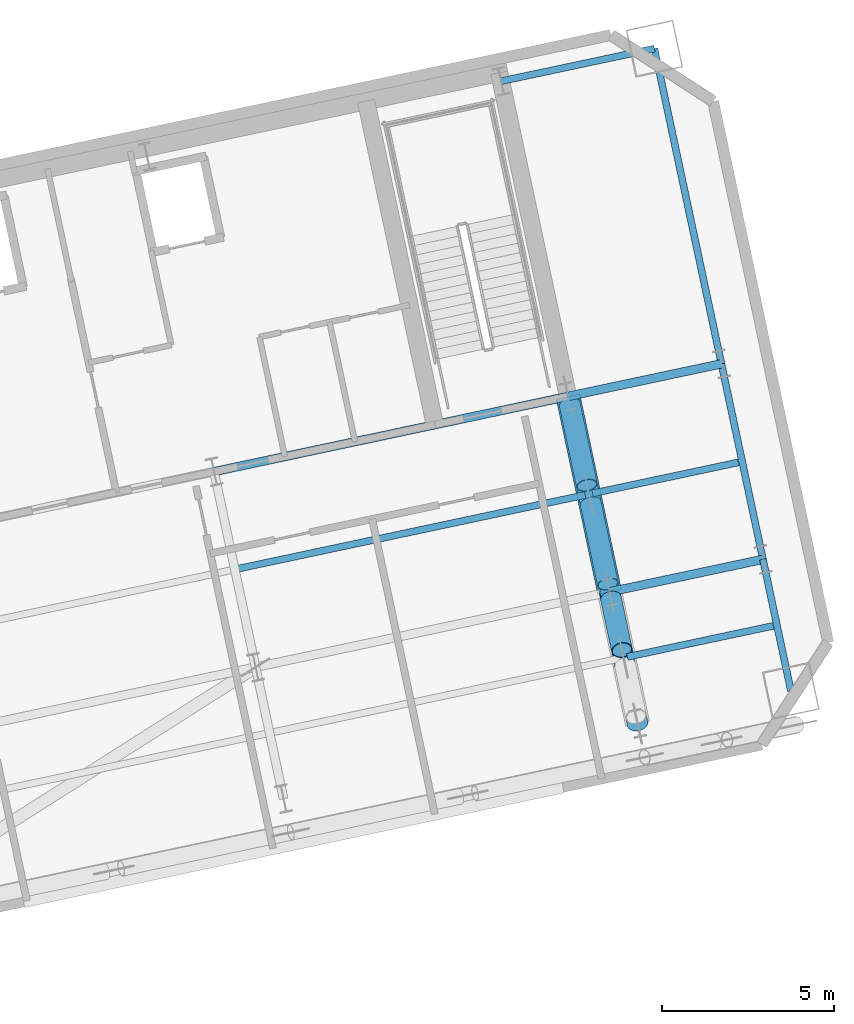
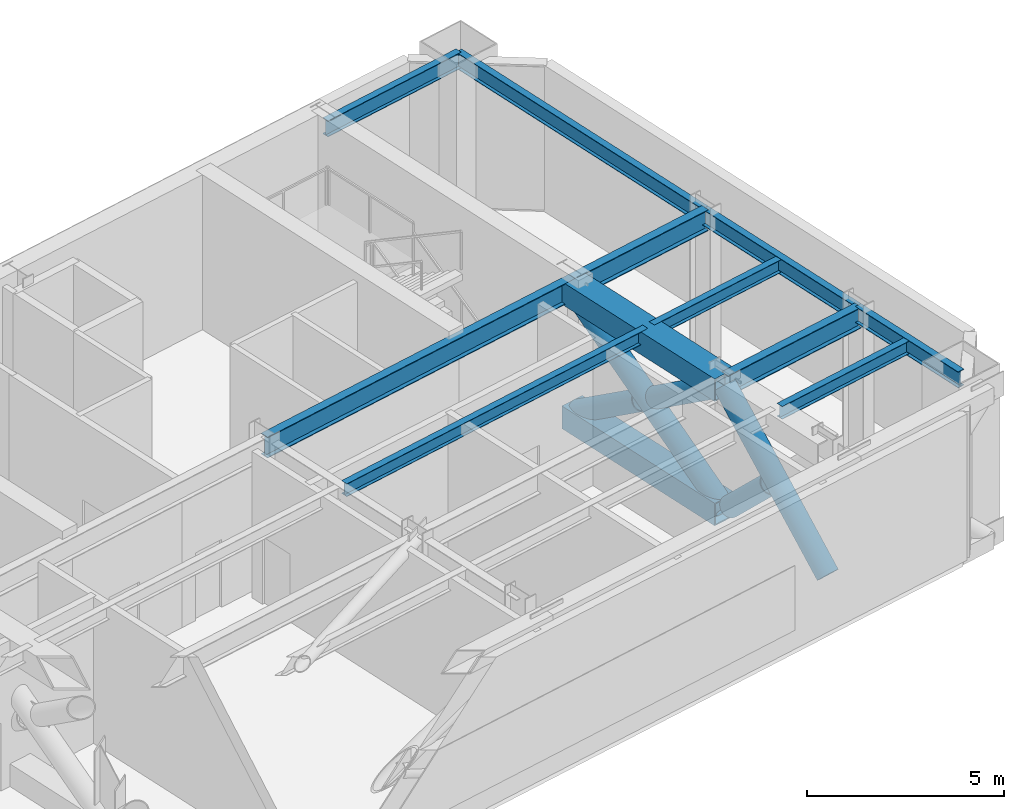
# One storey, part 5 of 15: 10 beams, 7 members.
"""IFC4 building model written with IfcOpenShell, lengths in metres."""

from ifc_helpers import new_model, si_unit, direction, frame, origin, origin_2d, place, context, subcontext, project, spatial, hollow_rectangle, hollow_circle, i_section, extrude, material, material_profile, profile_set, type_object, element, save


model = new_model("IFC4")

# Units and contexts
model_context = context("Model", 3, precision=1e-05, world=origin(), true_north=direction((0.0, 1.0)))
body_context = subcontext(model_context, "Body", "Model", "MODEL_VIEW")
ifc_project = project(units=[si_unit("LENGTHUNIT", "METRE"), si_unit("AREAUNIT", "SQUARE_METRE"), si_unit("VOLUMEUNIT", "CUBIC_METRE"), si_unit("PLANEANGLEUNIT", "RADIAN"), si_unit("MASSUNIT", "GRAM", prefix="KILO")], contexts=[model_context])

# Site, building, storey
site_placement = place(None, origin())
site = spatial("IfcSite", under=ifc_project, at=site_placement, CompositionType="ELEMENT")
building_placement = place(site_placement, origin())
building = spatial("IfcBuilding", under=site, at=building_placement, Name="Haevon Station Towers", CompositionType="ELEMENT")
storey_placement = place(building_placement, frame((0.0, 0.0, 138.0)))
storey = spatial("IfcBuildingStorey", under=building, at=storey_placement, Name="L37", CompositionType="ELEMENT", Elevation=138.0)

# Beams
ifc_material_1 = material(Name="Steel S355", Category="steel")
ifc_material_profile_1 = material_profile(ifc_material_1, i_section(OverallWidth=0.25, OverallDepth=0.64990234375, WebThickness=0.012939453125, FlangeThickness=0.02197265625, at=origin_2d()), Name="H-650x250x13x22")
ifc_profile_set_1 = profile_set([ifc_material_profile_1], Name="Steel S355")
beam_type_1 = type_object("IfcBeamType", Name="BM-G650", PredefinedType="BEAM", material=ifc_profile_set_1)
beam_1_placement = place(storey_placement, frame((120.499267578125, 36.13525390625, 4.22509765625), z_axis=(0.978146576304, 0.207916510322, 0.0), x_axis=(-0.207916510322, 0.978146576304, 0.0)))
element("IfcBeam", 1, at=beam_1_placement, inside=storey, type_object=beam_type_1, Name="BM-T2U-L37-02-04", PredefinedType="BEAM", context=body_context, shape_type="SweptSolid", body=[
    extrude(i_section(OverallWidth=0.25, OverallDepth=0.64990234375, WebThickness=0.012939453125, FlangeThickness=0.02197265625, at=origin_2d()), origin(), (0.0, 0.0, 1.0), 4.550048828125),
])
beam_2_placement = place(storey_placement, frame((109.02294921875, 39.62548828125, 4.22509765625), z_axis=(0.978146794194, 0.207915485254, 0.0), x_axis=(-0.207915485254, 0.978146794194, 0.0)))
element("IfcBeam", 2, at=beam_2_placement, inside=storey, type_object=beam_type_1, Name="BM-T2U-L37-03-03", PredefinedType="BEAM", context=body_context, shape_type="SweptSolid", body=[
    extrude(i_section(OverallWidth=0.25, OverallDepth=0.64990234375, WebThickness=0.012939453125, FlangeThickness=0.02197265625, at=origin_2d()), origin(), (0.0, 0.0, 1.0), 10.5),
])
beam_3_placement = place(storey_placement, frame((119.29345703125, 41.80859375, 4.22509765625), z_axis=(0.978146576304, 0.207916510322, 0.0), x_axis=(-0.207916510322, 0.978146576304, 0.0)))
element("IfcBeam", 3, at=beam_3_placement, inside=storey, type_object=beam_type_1, Name="BM-T2U-L37-03-04", PredefinedType="BEAM", context=body_context, shape_type="SweptSolid", body=[
    extrude(i_section(OverallWidth=0.25, OverallDepth=0.64990234375, WebThickness=0.012939453125, FlangeThickness=0.02197265625, at=origin_2d()), origin(), (0.0, 0.0, 1.0), 4.550048828125),
])
ifc_material_profile_2 = material_profile(ifc_material_1, i_section(OverallWidth=0.199951171875, OverallDepth=0.39990234375, WebThickness=0.008056640625, FlangeThickness=0.012939453125, at=origin_2d()), Name="H-400x200x8x13")
ifc_profile_set_2 = profile_set([ifc_material_profile_2], Name="Steel S355")
beam_type_2 = type_object("IfcBeamType", Name="BM-J400", PredefinedType="JOIST", material=ifc_profile_set_2)
beam_4_placement = place(storey_placement, frame((121.012451171875, 34.250732421875, 4.35009765625), z_axis=(0.978141078405, 0.207942373597, 0.0), x_axis=(-0.207942373597, 0.978141078405, 0.0)))
element("IfcBeam", 4, at=beam_4_placement, inside=storey, type_object=beam_type_2, Name="BM-T2J-L37-01-04", PredefinedType="JOIST", context=body_context, shape_type="SweptSolid", body=[
    extrude(i_section(OverallWidth=0.199951171875, OverallDepth=0.39990234375, WebThickness=0.008056640625, FlangeThickness=0.012939453125, at=origin_2d()), origin(), (0.0, 0.0, 1.0), 4.330078125),
])
beam_5_placement = place(storey_placement, frame((109.7333984375, 36.811767578125, 4.35009765625), z_axis=(0.978150339653, 0.207898804801, 0.0), x_axis=(-0.207898804801, 0.978150339653, 0.0)))
element("IfcBeam", 5, at=beam_5_placement, inside=storey, type_object=beam_type_2, Name="BM-T2J-L37-02-03", PredefinedType="JOIST", context=body_context, shape_type="SweptSolid", body=[
    extrude(i_section(OverallWidth=0.199951171875, OverallDepth=0.39990234375, WebThickness=0.008056640625, FlangeThickness=0.012939453125, at=origin_2d()), origin(), (0.0, 0.0, 1.0), 10.280029296875),
])
beam_6_placement = place(storey_placement, frame((120.00390625, 38.994873046875, 4.35009765625), z_axis=(0.978152545287, 0.207888427166, 0.0), x_axis=(-0.207888427166, 0.978152545287, 0.0)))
element("IfcBeam", 6, at=beam_6_placement, inside=storey, type_object=beam_type_2, Name="BM-T2J-L37-02-04", PredefinedType="JOIST", context=body_context, shape_type="SweptSolid", body=[
    extrude(i_section(OverallWidth=0.199951171875, OverallDepth=0.39990234375, WebThickness=0.008056640625, FlangeThickness=0.012939453125, at=origin_2d()), origin(), (0.0, 0.0, 1.0), 4.329833984375),
])
ifc_material_profile_3 = material_profile(ifc_material_1, i_section(OverallWidth=0.199951171875, OverallDepth=0.5, WebThickness=0.010009765625, FlangeThickness=0.01611328125, at=origin_2d()), Name="H-500x200x10x16")
ifc_profile_set_3 = profile_set([ifc_material_profile_3], Name="Steel S355")
beam_type_3 = type_object("IfcBeamType", Name="BM-SP500", PredefinedType="SPANDREL", material=ifc_profile_set_3)
beam_7_placement = place(storey_placement, frame((117.349365234375, 50.954345703125, 4.300048828125), z_axis=(0.978157487225, 0.207865173094, 0.0), x_axis=(-0.207865173094, 0.978157487225, 0.0)))
element("IfcBeam", 7, at=beam_7_placement, inside=storey, type_object=beam_type_3, Name="BM-T2U-L37-04-04", PredefinedType="SPANDREL", context=body_context, shape_type="SweptSolid", body=[
    extrude(i_section(OverallWidth=0.199951171875, OverallDepth=0.5, WebThickness=0.010009765625, FlangeThickness=0.01611328125, at=origin_2d()), origin(), (0.0, 0.0, 1.0), 4.550048828125),
])
beam_8_placement = place(storey_placement, frame((125.7607421875, 33.2666015625, 4.300048828125), z_axis=(-0.207899934746, 0.97815009949, 0.0), x_axis=(-0.97815009949, -0.207899934746, 0.0)))
element("IfcBeam", 8, at=beam_8_placement, inside=storey, type_object=beam_type_3, Name="BM-T2V-L37-05-01", PredefinedType="SPANDREL", context=body_context, shape_type="SweptSolid", body=[
    extrude(i_section(OverallWidth=0.199951171875, OverallDepth=0.5, WebThickness=0.010009765625, FlangeThickness=0.01611328125, at=origin_2d()), origin(), (0.0, 0.0, 1.0), 3.89990234375),
])
beam_9_placement = place(storey_placement, frame((124.949951171875, 37.081298828125, 4.300048828125), z_axis=(-0.207896009217, 0.97815093383, 0.0), x_axis=(-0.97815093383, -0.207896009217, 0.0)))
element("IfcBeam", 9, at=beam_9_placement, inside=storey, type_object=beam_type_3, Name="BM-T2V-L37-05-02", PredefinedType="SPANDREL", context=body_context, shape_type="SweptSolid", body=[
    extrude(i_section(OverallWidth=0.199951171875, OverallDepth=0.5, WebThickness=0.010009765625, FlangeThickness=0.01611328125, at=origin_2d()), origin(), (0.0, 0.0, 1.0), 5.800048828125),
])
beam_10_placement = place(storey_placement, frame((123.744140625, 42.754638671875, 4.300048828125), z_axis=(-0.207927460032, 0.978144248751, 0.0), x_axis=(-0.978144248751, -0.207927460032, 0.0)))
element("IfcBeam", 10, at=beam_10_placement, inside=storey, type_object=beam_type_3, Name="BM-T2V-L37-05-03", PredefinedType="SPANDREL", context=body_context, shape_type="SweptSolid", body=[
    extrude(i_section(OverallWidth=0.199951171875, OverallDepth=0.5, WebThickness=0.010009765625, FlangeThickness=0.01611328125, at=origin_2d()), origin(), (0.0, 0.0, 1.0), 9.349853515625),
])

# Members
ifc_material_2 = material(Name="Steel S460", Category="steel")
ifc_material_profile_4 = material_profile(ifc_material_2, hollow_circle(Radius=0.3046875, WallThickness=0.02490234375, at=origin_2d()), Name="CHS-609.6x25")
ifc_profile_set_4 = profile_set([ifc_material_profile_4], Name="Steel S460")
member_type_1 = type_object("IfcMemberType", Name="BROUT-610", PredefinedType="BRACE", material=ifc_profile_set_4)
member_1_placement = place(storey_placement, frame((121.310302734375, 32.320556640625, 0.35009765625), z_axis=(-0.147997476619, 0.696104928406, 0.702520231426), x_axis=(-0.978137367326, -0.207959829392, 0.0)))
element("IfcMember", 11, at=member_1_placement, inside=storey, type_object=member_type_1, Name="Tower 2 L37 Outrigger Truss Continuous Web Brace", PredefinedType="BRACE", context=body_context, shape_type="SweptSolid", body=[
    extrude(hollow_circle(Radius=0.3046875, WallThickness=0.02490234375, at=origin_2d()), origin(), (0.0, 0.0, 1.0), 5.47998046875),
])
member_2_placement = place(storey_placement, frame((120.85791015625, 34.448486328125, 2.05224609375), z_axis=(-0.147973679662, 0.69612560155, -0.70250475941), x_axis=(-0.978145424542, -0.207921928732, 0.0)))
element("IfcMember", 12, at=member_2_placement, inside=storey, type_object=member_type_1, Name="Tower 2 L37 Outrigger Truss Split Counter Brace Upper", PredefinedType="BRACE", context=body_context, shape_type="SweptSolid", body=[
    extrude(hollow_circle(Radius=0.3046875, WallThickness=0.02490234375, at=origin_2d()), origin(), (0.0, 0.0, 1.0), 2.143310546875),
])
member_3_placement = place(storey_placement, frame((120.499267578125, 36.13525390625, 0.35009765625), z_axis=(-0.173211930276, 0.814962307301, 0.553022662184), x_axis=(-0.97815093383, -0.207896009217, 0.0)))
element("IfcMember", 13, at=member_3_placement, inside=storey, type_object=member_type_1, Name="Tower 2 L37 Outrigger Truss Continuous Web Brace", PredefinedType="BRACE", context=body_context, shape_type="SweptSolid", body=[
    extrude(hollow_circle(Radius=0.3046875, WallThickness=0.02490234375, at=origin_2d()), origin(), (0.0, 0.0, 1.0), 6.96142578125),
])
for number, where, z_axis, x_axis, name in (
    (14, (120.450927734375, 36.363525390625, 4.045166015625), (-0.173211982079, 0.814925972383, -0.553076187157), (-0.978149036179, -0.207904937463, 0.0), "Tower 2 L37 Outrigger Truss Split Counter Brace Lower"),
    (15, (119.841552734375, 39.230224609375, 2.099609375), (-0.173220092296, 0.814964129247, -0.553017420761), (-0.978149036179, -0.207904937463, 0.0), "Tower 2 L37 Outrigger Truss Split Counter Brace Upper"),
):
    element("IfcMember", number, at=place(storey_placement, frame(where, z_axis=z_axis, x_axis=x_axis)), inside=storey, type_object=member_type_1, Name=name, PredefinedType="BRACE", context=body_context, shape_type="SweptSolid", body=[
        extrude(hollow_circle(Radius=0.3046875, WallThickness=0.02490234375, at=origin_2d()), origin(), (0.0, 0.0, 1.0), 2.8837890625),
    ])
ifc_material_profile_5 = material_profile(ifc_material_2, hollow_rectangle(XDim=0.699951171875, YDim=0.699951171875, WallThickness=0.034912109375, at=origin_2d()), Name="RHS-700x700x35")
ifc_profile_set_5 = profile_set([ifc_material_profile_5], Name="Steel S460")
member_type_2 = type_object("IfcMemberType", Name="CHOUT-700", PredefinedType="CHORD", material=ifc_profile_set_5)
for number, where, z_axis, x_axis, name in (
    (16, (120.499267578125, 36.13525390625, 0.35009765625), (-0.207896009217, 0.97815093383, 0.0), (-0.97815093383, -0.207896009217, 0.0), "Tower 2 L37 Outrigger Truss Bottom Chord"),
    (17, (120.499267578125, 36.13525390625, 4.199951171875), (-0.207896009217, 0.97815093383, 0.0), (-0.97815093383, -0.207896009217, 0.0), "Tower 2 L37 Outrigger Truss Top Chord"),
):
    element("IfcMember", number, at=place(storey_placement, frame(where, z_axis=z_axis, x_axis=x_axis)), inside=storey, type_object=member_type_2, Name=name, PredefinedType="CHORD", context=body_context, shape_type="SweptSolid", body=[
        extrude(hollow_rectangle(XDim=0.699951171875, YDim=0.699951171875, WallThickness=0.034912109375, at=origin_2d()), origin(), (0.0, 0.0, 1.0), 5.800048828125),
    ])

save(model, "model.ifc")
